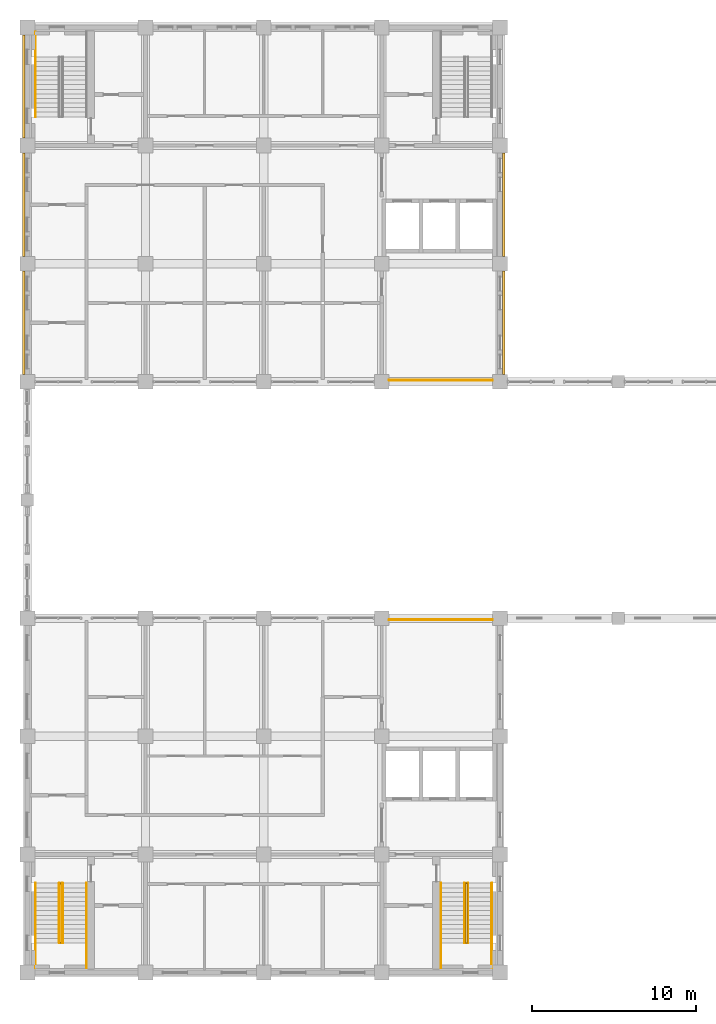
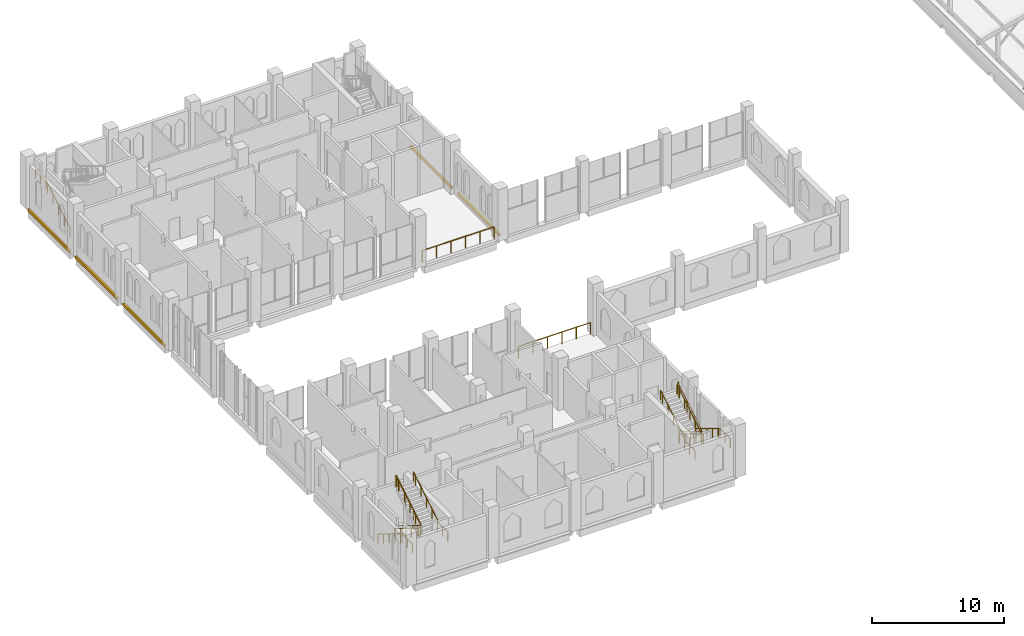
# One storey, part 29 of 30: 13 railings, 5 coverings.
"""IFC4 building model written with IfcOpenShell, lengths in metres."""

from ifc_helpers import new_model, si_unit, direction, frame, origin, origin_2d, place, context, subcontext, project, spatial, rectangle, circle, extrude, material, type_object, element, save


model = new_model("IFC4")

# Units and contexts
model_context = context("Model", 3, precision=1e-05, world=origin(), true_north=direction((0.0, 1.0)))
body_context = subcontext(model_context, "Body", "Model", "MODEL_VIEW")
ifc_project = project(units=[si_unit("LENGTHUNIT", "METRE"), si_unit("AREAUNIT", "SQUARE_METRE"), si_unit("VOLUMEUNIT", "CUBIC_METRE"), si_unit("PLANEANGLEUNIT", "RADIAN"), si_unit("MASSUNIT", "GRAM", prefix="KILO")], contexts=[model_context])

# Site, building, storey
site_placement = place(None, origin())
site = spatial("IfcSite", under=ifc_project, at=site_placement, CompositionType="ELEMENT")
building_placement = place(site_placement, origin())
building = spatial("IfcBuilding", under=site, at=building_placement, Name="Silangan Lancet Faculty of Sciences", CompositionType="ELEMENT")
storey_placement = place(building_placement, frame((0.0, 0.0, 31.199951171875)))
storey = spatial("IfcBuildingStorey", under=building, at=storey_placement, Name="L06", CompositionType="ELEMENT", Elevation=31.199951171875)

# Railings
ifc_material_1 = material(Name="Steel balustrade", Category="steel")
railing_type_1 = type_object("IfcRailingType", Name="ATRIUM GUARD 1100", PredefinedType="GUARDRAIL", material=ifc_material_1)
for number, where, name in (
    (1, (22.050048828125, 21.5, 0.0), "GUARD-ATR-L06-S11"),
    (2, (22.050048828125, 36.10009765625, 0.0), "GUARD-ATR-L06-N12"),
):
    element("IfcRailing", number, at=place(storey_placement, frame(where)), inside=storey, type_object=railing_type_1, Name=name, PredefinedType="GUARDRAIL", context=body_context, shape_type="SweptSolid", body=[
        extrude(circle(Radius=0.02392578125, at=origin_2d()), frame((0.0, 0.0, 1.076171875), z_axis=(1.0, 0.0, 0.0), x_axis=(0.0, 1.0, 0.0)), (0.0, 0.0, 1.0), 6.300048828125),
        extrude(circle(Radius=0.02099609375, at=origin_2d()), origin(), (0.0, 0.0, 1.0), 1.052001953125),
        extrude(circle(Radius=0.02099609375, at=origin_2d()), frame((1.260009765625, 0.0, 0.0)), (0.0, 0.0, 1.0), 1.052001953125),
        extrude(circle(Radius=0.02099609375, at=origin_2d()), frame((2.52001953125, 0.0, 0.0)), (0.0, 0.0, 1.0), 1.052001953125),
        extrude(circle(Radius=0.02099609375, at=origin_2d()), frame((3.780029296875, 0.0, 0.0)), (0.0, 0.0, 1.0), 1.052001953125),
        extrude(circle(Radius=0.02099609375, at=origin_2d()), frame((5.0400390625, 0.0, 0.0)), (0.0, 0.0, 1.0), 1.052001953125),
        extrude(circle(Radius=0.02099609375, at=origin_2d()), frame((6.300048828125, 0.0, 0.0)), (0.0, 0.0, 1.0), 1.052001953125),
    ])

# Coverings
ifc_material_2 = material(Name="Concrete C40/50 precast", Category="concrete")
covering_type = type_object("IfcCoveringType", Name="SC1 Precast string course 250 x 150", PredefinedType="CLADDING", material=ifc_material_2)
for number, where, z_axis, x_axis, name in (
    (3, (29.02490234375, 39.60009765625, -0.25), (0.0, 0.0, 1.0), (1.0, 0.0, 0.0), "SC-L06-E-NT-00"),
    (4, (29.02490234375, 46.800048828125, -0.25), (0.0, 0.0, 1.0), (1.0, 0.0, 0.0), "SC-L06-E-NT-01"),
    (5, (-0.22509765625, 39.60009765625, -0.25), (0.0, 0.0, 1.0), (1.0, 0.0, 0.0), "SC-L06-W-NT-00"),
    (6, (-0.22509765625, 46.800048828125, -0.25), (0.0, 0.0, 1.0), (1.0, 0.0, 0.0), "SC-L06-W-NT-01"),
    (7, (-0.22509765625, 54.0, -0.25), (0.0, 0.0, 1.0), (1.0, 0.0, 0.0), "SC-L06-W-NT-02"),
):
    element("IfcCovering", number, at=place(storey_placement, frame(where, z_axis=z_axis, x_axis=x_axis)), inside=storey, type_object=covering_type, Name=name, PredefinedType="CLADDING", context=body_context, shape_type="SweptSolid", body=[
        extrude(rectangle(XDim=0.14990234375, YDim=6.300048828125, at=origin_2d()), origin(), (0.0, 0.0, 1.0), 0.25),
    ])

# Railings
ifc_material_3 = material(Name="Steel balustrade", Category="steel")
railing_type_2 = type_object("IfcRailingType", Name="STAIR GUARD 1100", PredefinedType="GUARDRAIL", material=ifc_material_3)
railing_1_placement = place(storey_placement, frame((2.0, 5.449951171875, 0.17138671875)))
element("IfcRailing", 8, at=railing_1_placement, inside=storey, type_object=railing_type_2, Name="GUARD-ST-A-L06", PredefinedType="GUARDRAIL", context=body_context, shape_type="SweptSolid", body=[
    extrude(circle(Radius=0.02392578125, at=origin_2d()), frame((0.0, 0.0, 1.076171875), z_axis=(0.0, -0.852798921012, 0.522239409008), x_axis=(1.0, 0.0, 0.0)), (0.0, 0.0, 1.0), 1.313232421875),
    extrude(circle(Radius=0.02392578125, at=origin_2d()), frame((0.0, -1.119873046875, 1.76171875), z_axis=(0.0, -0.852849614702, 0.52215661894), x_axis=(1.0, 0.0, 0.0)), (0.0, 0.0, 1.0), 1.3134765625),
    extrude(circle(Radius=0.02392578125, at=origin_2d()), frame((0.0, -2.239990234375, 2.44775390625), z_axis=(0.0, -0.852798921012, 0.522239409008), x_axis=(1.0, 0.0, 0.0)), (0.0, 0.0, 1.0), 1.313232421875),
    extrude(circle(Radius=0.02392578125, at=origin_2d()), frame((0.0, -3.35986328125, 3.13330078125), z_axis=(0.0, -0.852932391421, 0.522021393877), x_axis=(1.0, 0.0, 0.0)), (0.0, 0.0, 1.0), 0.328369140625),
    extrude(circle(Radius=0.02392578125, at=origin_2d()), frame((0.0, -3.639892578125, 3.3046875), z_axis=(1.0, 0.0, 0.0), x_axis=(0.0, 1.0, 0.0)), (0.0, 0.0, 1.0), 0.10009765625),
    extrude(circle(Radius=0.02392578125, at=origin_2d()), frame((0.10009765625, -3.639892578125, 3.3046875), z_axis=(0.0, 0.0, 1.0), x_axis=(1.0, 0.0, 0.0)), (0.0, 0.0, 1.0), 0.17138671875),
    extrude(circle(Radius=0.02392578125, at=origin_2d()), frame((0.10009765625, -3.639892578125, 3.47607421875), z_axis=(0.0, 0.852881719064, 0.522104178577), x_axis=(-1.0, 0.0, 0.0)), (0.0, 0.0, 1.0), 1.31298828125),
    extrude(circle(Radius=0.02392578125, at=origin_2d()), frame((0.10009765625, -2.52001953125, 4.16162109375), z_axis=(0.0, 0.852849614702, 0.52215661894), x_axis=(-1.0, 0.0, 0.0)), (0.0, 0.0, 1.0), 1.3134765625),
    extrude(circle(Radius=0.02392578125, at=origin_2d()), frame((0.10009765625, -1.39990234375, 4.84765625), z_axis=(0.0, 0.852798921012, 0.522239409008), x_axis=(-1.0, 0.0, 0.0)), (0.0, 0.0, 1.0), 1.313232421875),
    extrude(circle(Radius=0.02392578125, at=origin_2d()), frame((0.10009765625, -0.280029296875, 5.533203125), z_axis=(0.0, 0.852932391421, 0.522021393877), x_axis=(-1.0, 0.0, 0.0)), (0.0, 0.0, 1.0), 0.328369140625),
    extrude(circle(Radius=0.02392578125, at=origin_2d()), frame((0.10009765625, 0.0, 5.70458984375), z_axis=(-1.0, 0.0, 0.0), x_axis=(0.0, -1.0, 0.0)), (0.0, 0.0, 1.0), 0.10009765625),
    extrude(circle(Radius=0.02099609375, at=origin_2d()), origin(), (0.0, 0.0, 1.0), 1.052001953125),
    extrude(circle(Radius=0.02099609375, at=origin_2d()), frame((0.0, -1.119873046875, 0.685791015625)), (0.0, 0.0, 1.0), 1.052001953125),
    extrude(circle(Radius=0.02099609375, at=origin_2d()), frame((0.0, -2.239990234375, 1.37158203125)), (0.0, 0.0, 1.0), 1.052001953125),
    extrude(circle(Radius=0.02099609375, at=origin_2d()), frame((0.0, -3.35986328125, 2.057373046875)), (0.0, 0.0, 1.0), 1.052001953125),
    extrude(circle(Radius=0.02099609375, at=origin_2d()), frame((0.0, -3.639892578125, 2.228759765625)), (0.0, 0.0, 1.0), 1.052001953125),
    extrude(circle(Radius=0.02099609375, at=origin_2d()), frame((0.10009765625, -3.639892578125, 2.228759765625)), (0.0, 0.0, 1.0), 1.052001953125),
    extrude(circle(Radius=0.02099609375, at=origin_2d()), frame((0.10009765625, -3.639892578125, 2.400146484375)), (0.0, 0.0, 1.0), 1.052001953125),
    extrude(circle(Radius=0.02099609375, at=origin_2d()), frame((0.10009765625, -2.52001953125, 3.085693359375)), (0.0, 0.0, 1.0), 1.052001953125),
    extrude(circle(Radius=0.02099609375, at=origin_2d()), frame((0.10009765625, -1.39990234375, 3.771484375)), (0.0, 0.0, 1.0), 1.052001953125),
    extrude(circle(Radius=0.02099609375, at=origin_2d()), frame((0.10009765625, -0.280029296875, 4.457275390625)), (0.0, 0.0, 1.0), 1.052001953125),
    extrude(circle(Radius=0.02099609375, at=origin_2d()), frame((0.10009765625, 0.0, 4.628662109375)), (0.0, 0.0, 1.0), 1.052001953125),
    extrude(circle(Radius=0.02099609375, at=origin_2d()), frame((0.0, 0.0, 4.628662109375)), (0.0, 0.0, 1.0), 1.052001953125),
])
railing_2_placement = place(storey_placement, frame((26.800048828125, 5.449951171875, 0.17138671875)))
element("IfcRailing", 9, at=railing_2_placement, inside=storey, type_object=railing_type_2, Name="GUARD-ST-B-L06", PredefinedType="GUARDRAIL", context=body_context, shape_type="SweptSolid", body=[
    extrude(circle(Radius=0.02392578125, at=origin_2d()), frame((0.0, 0.0, 1.076171875), z_axis=(0.0, -0.852798921012, 0.522239409008), x_axis=(1.0, 0.0, 0.0)), (0.0, 0.0, 1.0), 1.313232421875),
    extrude(circle(Radius=0.02392578125, at=origin_2d()), frame((0.0, -1.119873046875, 1.76171875), z_axis=(0.0, -0.852849614702, 0.52215661894), x_axis=(1.0, 0.0, 0.0)), (0.0, 0.0, 1.0), 1.3134765625),
    extrude(circle(Radius=0.02392578125, at=origin_2d()), frame((0.0, -2.239990234375, 2.44775390625), z_axis=(0.0, -0.852798921012, 0.522239409008), x_axis=(1.0, 0.0, 0.0)), (0.0, 0.0, 1.0), 1.313232421875),
    extrude(circle(Radius=0.02392578125, at=origin_2d()), frame((0.0, -3.35986328125, 3.13330078125), z_axis=(0.0, -0.852932391421, 0.522021393877), x_axis=(1.0, 0.0, 0.0)), (0.0, 0.0, 1.0), 0.328369140625),
    extrude(circle(Radius=0.02392578125, at=origin_2d()), frame((0.0, -3.639892578125, 3.3046875), z_axis=(-1.0, 0.0, 0.0), x_axis=(0.0, -1.0, 0.0)), (0.0, 0.0, 1.0), 0.10009765625),
    extrude(circle(Radius=0.02392578125, at=origin_2d()), frame((-0.10009765625, -3.639892578125, 3.3046875), z_axis=(0.0, 0.0, 1.0), x_axis=(1.0, 0.0, 0.0)), (0.0, 0.0, 1.0), 0.17138671875),
    extrude(circle(Radius=0.02392578125, at=origin_2d()), frame((-0.10009765625, -3.639892578125, 3.47607421875), z_axis=(0.0, 0.852881719064, 0.522104178577), x_axis=(-1.0, 0.0, 0.0)), (0.0, 0.0, 1.0), 1.31298828125),
    extrude(circle(Radius=0.02392578125, at=origin_2d()), frame((-0.10009765625, -2.52001953125, 4.16162109375), z_axis=(0.0, 0.852849614702, 0.52215661894), x_axis=(-1.0, 0.0, 0.0)), (0.0, 0.0, 1.0), 1.3134765625),
    extrude(circle(Radius=0.02392578125, at=origin_2d()), frame((-0.10009765625, -1.39990234375, 4.84765625), z_axis=(0.0, 0.852798921012, 0.522239409008), x_axis=(-1.0, 0.0, 0.0)), (0.0, 0.0, 1.0), 1.313232421875),
    extrude(circle(Radius=0.02392578125, at=origin_2d()), frame((-0.10009765625, -0.280029296875, 5.533203125), z_axis=(0.0, 0.852932391421, 0.522021393877), x_axis=(-1.0, 0.0, 0.0)), (0.0, 0.0, 1.0), 0.328369140625),
    extrude(circle(Radius=0.02392578125, at=origin_2d()), frame((-0.10009765625, 0.0, 5.70458984375), z_axis=(1.0, 0.0, 0.0), x_axis=(0.0, 1.0, 0.0)), (0.0, 0.0, 1.0), 0.10009765625),
    extrude(circle(Radius=0.02099609375, at=origin_2d()), origin(), (0.0, 0.0, 1.0), 1.052001953125),
    extrude(circle(Radius=0.02099609375, at=origin_2d()), frame((0.0, -1.119873046875, 0.685791015625)), (0.0, 0.0, 1.0), 1.052001953125),
    extrude(circle(Radius=0.02099609375, at=origin_2d()), frame((0.0, -2.239990234375, 1.37158203125)), (0.0, 0.0, 1.0), 1.052001953125),
    extrude(circle(Radius=0.02099609375, at=origin_2d()), frame((0.0, -3.35986328125, 2.057373046875)), (0.0, 0.0, 1.0), 1.052001953125),
    extrude(circle(Radius=0.02099609375, at=origin_2d()), frame((0.0, -3.639892578125, 2.228759765625)), (0.0, 0.0, 1.0), 1.052001953125),
    extrude(circle(Radius=0.02099609375, at=origin_2d()), frame((-0.10009765625, -3.639892578125, 2.228759765625)), (0.0, 0.0, 1.0), 1.052001953125),
    extrude(circle(Radius=0.02099609375, at=origin_2d()), frame((-0.10009765625, -3.639892578125, 2.400146484375)), (0.0, 0.0, 1.0), 1.052001953125),
    extrude(circle(Radius=0.02099609375, at=origin_2d()), frame((-0.10009765625, -2.52001953125, 3.085693359375)), (0.0, 0.0, 1.0), 1.052001953125),
    extrude(circle(Radius=0.02099609375, at=origin_2d()), frame((-0.10009765625, -1.39990234375, 3.771484375)), (0.0, 0.0, 1.0), 1.052001953125),
    extrude(circle(Radius=0.02099609375, at=origin_2d()), frame((-0.10009765625, -0.280029296875, 4.457275390625)), (0.0, 0.0, 1.0), 1.052001953125),
    extrude(circle(Radius=0.02099609375, at=origin_2d()), frame((-0.10009765625, 0.0, 4.628662109375)), (0.0, 0.0, 1.0), 1.052001953125),
    extrude(circle(Radius=0.02099609375, at=origin_2d()), frame((0.0, 0.0, 4.628662109375)), (0.0, 0.0, 1.0), 1.052001953125),
])
ifc_material_4 = material(Name="Stainless steel", Category="steel")
railing_type_3 = type_object("IfcRailingType", Name="STAIR HANDRAIL 865", PredefinedType="HANDRAIL", material=ifc_material_4)
railing_3_placement = place(storey_placement, frame((0.5, 52.14990234375, 0.17138671875)))
element("IfcRailing", 10, at=railing_3_placement, inside=storey, type_object=railing_type_3, Name="HANDRAIL-NT-A-L06-O1", PredefinedType="HANDRAIL", context=body_context, shape_type="SweptSolid", body=[
    extrude(circle(Radius=0.02392578125, at=origin_2d()), frame((0.0, 0.0, 0.8408203125), z_axis=(0.0, 0.852822021269, 0.522201685212), x_axis=(-1.0, 0.0, 0.0)), (0.0, 0.0, 1.0), 0.985107421875),
    extrude(circle(Radius=0.02392578125, at=origin_2d()), frame((0.0, 0.840087890625, 1.35546875), z_axis=(0.0, 0.852932391421, 0.522021393877), x_axis=(-1.0, 0.0, 0.0)), (0.0, 0.0, 1.0), 0.98486328125),
    extrude(circle(Radius=0.02392578125, at=origin_2d()), frame((0.0, 1.68017578125, 1.86962890625), z_axis=(0.0, 0.852754414843, 0.522312079092), x_axis=(-1.0, 0.0, 0.0)), (0.0, 0.0, 1.0), 0.98486328125),
    extrude(circle(Radius=0.02392578125, at=origin_2d()), frame((0.0, 2.52001953125, 2.3837890625), z_axis=(0.0, 0.852822021269, 0.522201685212), x_axis=(-1.0, 0.0, 0.0)), (0.0, 0.0, 1.0), 0.985107421875),
    extrude(circle(Radius=0.02392578125, at=origin_2d()), frame((0.0, 3.360107421875, 2.8984375), z_axis=(0.0, 0.852932391421, 0.522021393877), x_axis=(-1.0, 0.0, 0.0)), (0.0, 0.0, 1.0), 0.328369140625),
    extrude(circle(Radius=0.02392578125, at=origin_2d()), frame((0.0, 3.64013671875, 3.06982421875), z_axis=(0.0, 1.0, 0.0), x_axis=(-1.0, 0.0, 0.0)), (0.0, 0.0, 1.0), 1.534912109375),
    extrude(circle(Radius=0.02099609375, at=origin_2d()), origin(), (0.0, 0.0, 1.0), 0.81689453125),
    extrude(circle(Radius=0.02099609375, at=origin_2d()), frame((0.0, 0.840087890625, 0.514404296875)), (0.0, 0.0, 1.0), 0.81689453125),
    extrude(circle(Radius=0.02099609375, at=origin_2d()), frame((0.0, 1.68017578125, 1.028564453125)), (0.0, 0.0, 1.0), 0.81689453125),
    extrude(circle(Radius=0.02099609375, at=origin_2d()), frame((0.0, 2.52001953125, 1.54296875)), (0.0, 0.0, 1.0), 0.81689453125),
    extrude(circle(Radius=0.02099609375, at=origin_2d()), frame((0.0, 3.360107421875, 2.057373046875)), (0.0, 0.0, 1.0), 0.81689453125),
    extrude(circle(Radius=0.02099609375, at=origin_2d()), frame((0.0, 3.64013671875, 2.228759765625)), (0.0, 0.0, 1.0), 0.81689453125),
    extrude(circle(Radius=0.02099609375, at=origin_2d()), frame((0.0, 4.40771484375, 2.228759765625)), (0.0, 0.0, 1.0), 0.81689453125),
    extrude(circle(Radius=0.02099609375, at=origin_2d()), frame((0.0, 5.175048828125, 2.228759765625)), (0.0, 0.0, 1.0), 0.81689453125),
])
railing_4_placement = place(storey_placement, frame((0.5, 5.449951171875, 0.17138671875)))
element("IfcRailing", 11, at=railing_4_placement, inside=storey, type_object=railing_type_3, Name="HANDRAIL-ST-A-L06-O1", PredefinedType="HANDRAIL", context=body_context, shape_type="SweptSolid", body=[
    extrude(circle(Radius=0.02392578125, at=origin_2d()), frame((0.0, 0.0, 0.8408203125), z_axis=(0.0, -0.852754414843, 0.522312079092), x_axis=(1.0, 0.0, 0.0)), (0.0, 0.0, 1.0), 0.98486328125),
    extrude(circle(Radius=0.02392578125, at=origin_2d()), frame((0.0, -0.83984375, 1.35546875), z_axis=(0.0, -0.852932391421, 0.522021393877), x_axis=(1.0, 0.0, 0.0)), (0.0, 0.0, 1.0), 0.98486328125),
    extrude(circle(Radius=0.02392578125, at=origin_2d()), frame((0.0, -1.679931640625, 1.86962890625), z_axis=(0.0, -0.852822021269, 0.522201685212), x_axis=(1.0, 0.0, 0.0)), (0.0, 0.0, 1.0), 0.985107421875),
    extrude(circle(Radius=0.02392578125, at=origin_2d()), frame((0.0, -2.52001953125, 2.3837890625), z_axis=(0.0, -0.852754414843, 0.522312079092), x_axis=(1.0, 0.0, 0.0)), (0.0, 0.0, 1.0), 0.98486328125),
    extrude(circle(Radius=0.02392578125, at=origin_2d()), frame((0.0, -3.35986328125, 2.8984375), z_axis=(0.0, -0.852932391421, 0.522021393877), x_axis=(1.0, 0.0, 0.0)), (0.0, 0.0, 1.0), 0.328369140625),
    extrude(circle(Radius=0.02392578125, at=origin_2d()), frame((0.0, -3.639892578125, 3.06982421875), z_axis=(0.0, -1.0, 0.0), x_axis=(1.0, 0.0, 0.0)), (0.0, 0.0, 1.0), 1.53515625),
    extrude(circle(Radius=0.02099609375, at=origin_2d()), origin(), (0.0, 0.0, 1.0), 0.81689453125),
    extrude(circle(Radius=0.02099609375, at=origin_2d()), frame((0.0, -0.83984375, 0.514404296875)), (0.0, 0.0, 1.0), 0.81689453125),
    extrude(circle(Radius=0.02099609375, at=origin_2d()), frame((0.0, -1.679931640625, 1.028564453125)), (0.0, 0.0, 1.0), 0.81689453125),
    extrude(circle(Radius=0.02099609375, at=origin_2d()), frame((0.0, -2.52001953125, 1.54296875)), (0.0, 0.0, 1.0), 0.81689453125),
    extrude(circle(Radius=0.02099609375, at=origin_2d()), frame((0.0, -3.35986328125, 2.057373046875)), (0.0, 0.0, 1.0), 0.81689453125),
    extrude(circle(Radius=0.02099609375, at=origin_2d()), frame((0.0, -3.639892578125, 2.228759765625)), (0.0, 0.0, 1.0), 0.81689453125),
    extrude(circle(Radius=0.02099609375, at=origin_2d()), frame((0.0, -4.407470703125, 2.228759765625)), (0.0, 0.0, 1.0), 0.81689453125),
    extrude(circle(Radius=0.02099609375, at=origin_2d()), frame((0.0, -5.175048828125, 2.228759765625)), (0.0, 0.0, 1.0), 0.81689453125),
])
railing_5_placement = place(storey_placement, frame((1.949951171875, 5.449951171875, 0.17138671875)))
element("IfcRailing", 12, at=railing_5_placement, inside=storey, type_object=railing_type_3, Name="HANDRAIL-ST-A-L06-I1", PredefinedType="HANDRAIL", context=body_context, shape_type="SweptSolid", body=[
    extrude(circle(Radius=0.02392578125, at=origin_2d()), frame((0.0, 0.0, 0.8408203125), z_axis=(0.0, -0.852754414843, 0.522312079092), x_axis=(1.0, 0.0, 0.0)), (0.0, 0.0, 1.0), 0.98486328125),
    extrude(circle(Radius=0.02392578125, at=origin_2d()), frame((0.0, -0.83984375, 1.35546875), z_axis=(0.0, -0.852932391421, 0.522021393877), x_axis=(1.0, 0.0, 0.0)), (0.0, 0.0, 1.0), 0.98486328125),
    extrude(circle(Radius=0.02392578125, at=origin_2d()), frame((0.0, -1.679931640625, 1.86962890625), z_axis=(0.0, -0.852822021269, 0.522201685212), x_axis=(1.0, 0.0, 0.0)), (0.0, 0.0, 1.0), 0.985107421875),
    extrude(circle(Radius=0.02392578125, at=origin_2d()), frame((0.0, -2.52001953125, 2.3837890625), z_axis=(0.0, -0.852754414843, 0.522312079092), x_axis=(1.0, 0.0, 0.0)), (0.0, 0.0, 1.0), 0.98486328125),
    extrude(circle(Radius=0.02392578125, at=origin_2d()), frame((0.0, -3.35986328125, 2.8984375), z_axis=(0.0, -0.852932391421, 0.522021393877), x_axis=(1.0, 0.0, 0.0)), (0.0, 0.0, 1.0), 0.328369140625),
    extrude(circle(Radius=0.02099609375, at=origin_2d()), origin(), (0.0, 0.0, 1.0), 0.81689453125),
    extrude(circle(Radius=0.02099609375, at=origin_2d()), frame((0.0, -0.83984375, 0.514404296875)), (0.0, 0.0, 1.0), 0.81689453125),
    extrude(circle(Radius=0.02099609375, at=origin_2d()), frame((0.0, -1.679931640625, 1.028564453125)), (0.0, 0.0, 1.0), 0.81689453125),
    extrude(circle(Radius=0.02099609375, at=origin_2d()), frame((0.0, -2.52001953125, 1.54296875)), (0.0, 0.0, 1.0), 0.81689453125),
    extrude(circle(Radius=0.02099609375, at=origin_2d()), frame((0.0, -3.35986328125, 2.057373046875)), (0.0, 0.0, 1.0), 0.81689453125),
    extrude(circle(Radius=0.02099609375, at=origin_2d()), frame((0.0, -3.639892578125, 2.228759765625)), (0.0, 0.0, 1.0), 0.81689453125),
])
railing_6_placement = place(storey_placement, frame((3.60009765625, 0.27490234375, 2.400146484375)))
element("IfcRailing", 13, at=railing_6_placement, inside=storey, type_object=railing_type_3, Name="HANDRAIL-ST-A-L06-O2", PredefinedType="HANDRAIL", context=body_context, shape_type="SweptSolid", body=[
    extrude(circle(Radius=0.02392578125, at=origin_2d()), frame((0.0, 0.0, 0.8408203125), z_axis=(0.0, 1.0, 0.0), x_axis=(-1.0, 0.0, 0.0)), (0.0, 0.0, 1.0), 1.53515625),
    extrude(circle(Radius=0.02392578125, at=origin_2d()), frame((0.0, 1.53515625, 0.8408203125), z_axis=(0.0, 0.0, 1.0), x_axis=(1.0, 0.0, 0.0)), (0.0, 0.0, 1.0), 0.17138671875),
    extrude(circle(Radius=0.02392578125, at=origin_2d()), frame((0.0, 1.53515625, 1.01220703125), z_axis=(0.0, 0.85286482292, 0.522131778218), x_axis=(-1.0, 0.0, 0.0)), (0.0, 0.0, 1.0), 0.984619140625),
    extrude(circle(Radius=0.02392578125, at=origin_2d()), frame((0.0, 2.375, 1.5263671875), z_axis=(0.0, 0.852822021269, 0.522201685212), x_axis=(-1.0, 0.0, 0.0)), (0.0, 0.0, 1.0), 0.985107421875),
    extrude(circle(Radius=0.02392578125, at=origin_2d()), frame((0.0, 3.215087890625, 2.041015625), z_axis=(0.0, 0.852932391421, 0.522021393877), x_axis=(-1.0, 0.0, 0.0)), (0.0, 0.0, 1.0), 0.98486328125),
    extrude(circle(Radius=0.02392578125, at=origin_2d()), frame((0.0, 4.05517578125, 2.55517578125), z_axis=(0.0, 0.852754414843, 0.522312079092), x_axis=(-1.0, 0.0, 0.0)), (0.0, 0.0, 1.0), 0.98486328125),
    extrude(circle(Radius=0.02392578125, at=origin_2d()), frame((0.0, 4.89501953125, 3.0693359375), z_axis=(0.0, 0.852932391421, 0.522021393877), x_axis=(-1.0, 0.0, 0.0)), (0.0, 0.0, 1.0), 0.328369140625),
    extrude(circle(Radius=0.02099609375, at=origin_2d()), origin(), (0.0, 0.0, 1.0), 0.81689453125),
    extrude(circle(Radius=0.02099609375, at=origin_2d()), frame((0.0, 0.767578125, 0.0)), (0.0, 0.0, 1.0), 0.81689453125),
    extrude(circle(Radius=0.02099609375, at=origin_2d()), frame((0.0, 1.53515625, 0.0)), (0.0, 0.0, 1.0), 0.81689453125),
    extrude(circle(Radius=0.02099609375, at=origin_2d()), frame((0.0, 1.53515625, 0.17138671875)), (0.0, 0.0, 1.0), 0.81689453125),
    extrude(circle(Radius=0.02099609375, at=origin_2d()), frame((0.0, 2.375, 0.685546875)), (0.0, 0.0, 1.0), 0.81689453125),
    extrude(circle(Radius=0.02099609375, at=origin_2d()), frame((0.0, 3.215087890625, 1.199951171875)), (0.0, 0.0, 1.0), 0.81689453125),
    extrude(circle(Radius=0.02099609375, at=origin_2d()), frame((0.0, 4.05517578125, 1.714111328125)), (0.0, 0.0, 1.0), 0.81689453125),
    extrude(circle(Radius=0.02099609375, at=origin_2d()), frame((0.0, 4.89501953125, 2.228515625)), (0.0, 0.0, 1.0), 0.81689453125),
    extrude(circle(Radius=0.02099609375, at=origin_2d()), frame((0.0, 5.175048828125, 2.39990234375)), (0.0, 0.0, 1.0), 0.81689453125),
])
railing_7_placement = place(storey_placement, frame((2.14990234375, 1.81005859375, 2.571533203125)))
element("IfcRailing", 14, at=railing_7_placement, inside=storey, type_object=railing_type_3, Name="HANDRAIL-ST-A-L06-I2", PredefinedType="HANDRAIL", context=body_context, shape_type="SweptSolid", body=[
    extrude(circle(Radius=0.02392578125, at=origin_2d()), frame((0.0, 0.0, 0.8408203125), z_axis=(0.0, 0.85286482292, 0.522131778218), x_axis=(-1.0, 0.0, 0.0)), (0.0, 0.0, 1.0), 0.984619140625),
    extrude(circle(Radius=0.02392578125, at=origin_2d()), frame((0.0, 0.83984375, 1.35498046875), z_axis=(0.0, 0.852822021269, 0.522201685212), x_axis=(-1.0, 0.0, 0.0)), (0.0, 0.0, 1.0), 0.985107421875),
    extrude(circle(Radius=0.02392578125, at=origin_2d()), frame((0.0, 1.679931640625, 1.86962890625), z_axis=(0.0, 0.852932391421, 0.522021393877), x_axis=(-1.0, 0.0, 0.0)), (0.0, 0.0, 1.0), 0.98486328125),
    extrude(circle(Radius=0.02392578125, at=origin_2d()), frame((0.0, 2.52001953125, 2.3837890625), z_axis=(0.0, 0.852754414843, 0.522312079092), x_axis=(-1.0, 0.0, 0.0)), (0.0, 0.0, 1.0), 0.98486328125),
    extrude(circle(Radius=0.02392578125, at=origin_2d()), frame((0.0, 3.35986328125, 2.89794921875), z_axis=(0.0, 0.852932391421, 0.522021393877), x_axis=(-1.0, 0.0, 0.0)), (0.0, 0.0, 1.0), 0.328369140625),
    extrude(circle(Radius=0.02099609375, at=origin_2d()), origin(), (0.0, 0.0, 1.0), 0.81689453125),
    extrude(circle(Radius=0.02099609375, at=origin_2d()), frame((0.0, 0.83984375, 0.51416015625)), (0.0, 0.0, 1.0), 0.81689453125),
    extrude(circle(Radius=0.02099609375, at=origin_2d()), frame((0.0, 1.679931640625, 1.028564453125)), (0.0, 0.0, 1.0), 0.81689453125),
    extrude(circle(Radius=0.02099609375, at=origin_2d()), frame((0.0, 2.52001953125, 1.542724609375)), (0.0, 0.0, 1.0), 0.81689453125),
    extrude(circle(Radius=0.02099609375, at=origin_2d()), frame((0.0, 3.35986328125, 2.05712890625)), (0.0, 0.0, 1.0), 0.81689453125),
    extrude(circle(Radius=0.02099609375, at=origin_2d()), frame((0.0, 3.639892578125, 2.228515625)), (0.0, 0.0, 1.0), 0.81689453125),
])
railing_8_placement = place(storey_placement, frame((28.300048828125, 5.449951171875, 0.17138671875)))
element("IfcRailing", 15, at=railing_8_placement, inside=storey, type_object=railing_type_3, Name="HANDRAIL-ST-B-L06-O1", PredefinedType="HANDRAIL", context=body_context, shape_type="SweptSolid", body=[
    extrude(circle(Radius=0.02392578125, at=origin_2d()), frame((0.0, 0.0, 0.8408203125), z_axis=(0.0, -0.852754414843, 0.522312079092), x_axis=(1.0, 0.0, 0.0)), (0.0, 0.0, 1.0), 0.98486328125),
    extrude(circle(Radius=0.02392578125, at=origin_2d()), frame((0.0, -0.83984375, 1.35546875), z_axis=(0.0, -0.852932391421, 0.522021393877), x_axis=(1.0, 0.0, 0.0)), (0.0, 0.0, 1.0), 0.98486328125),
    extrude(circle(Radius=0.02392578125, at=origin_2d()), frame((0.0, -1.679931640625, 1.86962890625), z_axis=(0.0, -0.852822021269, 0.522201685212), x_axis=(1.0, 0.0, 0.0)), (0.0, 0.0, 1.0), 0.985107421875),
    extrude(circle(Radius=0.02392578125, at=origin_2d()), frame((0.0, -2.52001953125, 2.3837890625), z_axis=(0.0, -0.852754414843, 0.522312079092), x_axis=(1.0, 0.0, 0.0)), (0.0, 0.0, 1.0), 0.98486328125),
    extrude(circle(Radius=0.02392578125, at=origin_2d()), frame((0.0, -3.35986328125, 2.8984375), z_axis=(0.0, -0.852932391421, 0.522021393877), x_axis=(1.0, 0.0, 0.0)), (0.0, 0.0, 1.0), 0.328369140625),
    extrude(circle(Radius=0.02392578125, at=origin_2d()), frame((0.0, -3.639892578125, 3.06982421875), z_axis=(0.0, -1.0, 0.0), x_axis=(1.0, 0.0, 0.0)), (0.0, 0.0, 1.0), 1.53515625),
    extrude(circle(Radius=0.02099609375, at=origin_2d()), origin(), (0.0, 0.0, 1.0), 0.81689453125),
    extrude(circle(Radius=0.02099609375, at=origin_2d()), frame((0.0, -0.83984375, 0.514404296875)), (0.0, 0.0, 1.0), 0.81689453125),
    extrude(circle(Radius=0.02099609375, at=origin_2d()), frame((0.0, -1.679931640625, 1.028564453125)), (0.0, 0.0, 1.0), 0.81689453125),
    extrude(circle(Radius=0.02099609375, at=origin_2d()), frame((0.0, -2.52001953125, 1.54296875)), (0.0, 0.0, 1.0), 0.81689453125),
    extrude(circle(Radius=0.02099609375, at=origin_2d()), frame((0.0, -3.35986328125, 2.057373046875)), (0.0, 0.0, 1.0), 0.81689453125),
    extrude(circle(Radius=0.02099609375, at=origin_2d()), frame((0.0, -3.639892578125, 2.228759765625)), (0.0, 0.0, 1.0), 0.81689453125),
    extrude(circle(Radius=0.02099609375, at=origin_2d()), frame((0.0, -4.407470703125, 2.228759765625)), (0.0, 0.0, 1.0), 0.81689453125),
    extrude(circle(Radius=0.02099609375, at=origin_2d()), frame((0.0, -5.175048828125, 2.228759765625)), (0.0, 0.0, 1.0), 0.81689453125),
])
railing_9_placement = place(storey_placement, frame((26.85009765625, 5.449951171875, 0.17138671875)))
element("IfcRailing", 16, at=railing_9_placement, inside=storey, type_object=railing_type_3, Name="HANDRAIL-ST-B-L06-I1", PredefinedType="HANDRAIL", context=body_context, shape_type="SweptSolid", body=[
    extrude(circle(Radius=0.02392578125, at=origin_2d()), frame((0.0, 0.0, 0.8408203125), z_axis=(0.0, -0.852754414843, 0.522312079092), x_axis=(1.0, 0.0, 0.0)), (0.0, 0.0, 1.0), 0.98486328125),
    extrude(circle(Radius=0.02392578125, at=origin_2d()), frame((0.0, -0.83984375, 1.35546875), z_axis=(0.0, -0.852932391421, 0.522021393877), x_axis=(1.0, 0.0, 0.0)), (0.0, 0.0, 1.0), 0.98486328125),
    extrude(circle(Radius=0.02392578125, at=origin_2d()), frame((0.0, -1.679931640625, 1.86962890625), z_axis=(0.0, -0.852822021269, 0.522201685212), x_axis=(1.0, 0.0, 0.0)), (0.0, 0.0, 1.0), 0.985107421875),
    extrude(circle(Radius=0.02392578125, at=origin_2d()), frame((0.0, -2.52001953125, 2.3837890625), z_axis=(0.0, -0.852754414843, 0.522312079092), x_axis=(1.0, 0.0, 0.0)), (0.0, 0.0, 1.0), 0.98486328125),
    extrude(circle(Radius=0.02392578125, at=origin_2d()), frame((0.0, -3.35986328125, 2.8984375), z_axis=(0.0, -0.852932391421, 0.522021393877), x_axis=(1.0, 0.0, 0.0)), (0.0, 0.0, 1.0), 0.328369140625),
    extrude(circle(Radius=0.02099609375, at=origin_2d()), origin(), (0.0, 0.0, 1.0), 0.81689453125),
    extrude(circle(Radius=0.02099609375, at=origin_2d()), frame((0.0, -0.83984375, 0.514404296875)), (0.0, 0.0, 1.0), 0.81689453125),
    extrude(circle(Radius=0.02099609375, at=origin_2d()), frame((0.0, -1.679931640625, 1.028564453125)), (0.0, 0.0, 1.0), 0.81689453125),
    extrude(circle(Radius=0.02099609375, at=origin_2d()), frame((0.0, -2.52001953125, 1.54296875)), (0.0, 0.0, 1.0), 0.81689453125),
    extrude(circle(Radius=0.02099609375, at=origin_2d()), frame((0.0, -3.35986328125, 2.057373046875)), (0.0, 0.0, 1.0), 0.81689453125),
    extrude(circle(Radius=0.02099609375, at=origin_2d()), frame((0.0, -3.639892578125, 2.228759765625)), (0.0, 0.0, 1.0), 0.81689453125),
])
railing_10_placement = place(storey_placement, frame((25.199951171875, 0.27490234375, 2.400146484375)))
element("IfcRailing", 17, at=railing_10_placement, inside=storey, type_object=railing_type_3, Name="HANDRAIL-ST-B-L06-O2", PredefinedType="HANDRAIL", context=body_context, shape_type="SweptSolid", body=[
    extrude(circle(Radius=0.02392578125, at=origin_2d()), frame((0.0, 0.0, 0.8408203125), z_axis=(0.0, 1.0, 0.0), x_axis=(-1.0, 0.0, 0.0)), (0.0, 0.0, 1.0), 1.53515625),
    extrude(circle(Radius=0.02392578125, at=origin_2d()), frame((0.0, 1.53515625, 0.8408203125), z_axis=(0.0, 0.0, 1.0), x_axis=(1.0, 0.0, 0.0)), (0.0, 0.0, 1.0), 0.17138671875),
    extrude(circle(Radius=0.02392578125, at=origin_2d()), frame((0.0, 1.53515625, 1.01220703125), z_axis=(0.0, 0.85286482292, 0.522131778218), x_axis=(-1.0, 0.0, 0.0)), (0.0, 0.0, 1.0), 0.984619140625),
    extrude(circle(Radius=0.02392578125, at=origin_2d()), frame((0.0, 2.375, 1.5263671875), z_axis=(0.0, 0.852822021269, 0.522201685212), x_axis=(-1.0, 0.0, 0.0)), (0.0, 0.0, 1.0), 0.985107421875),
    extrude(circle(Radius=0.02392578125, at=origin_2d()), frame((0.0, 3.215087890625, 2.041015625), z_axis=(0.0, 0.852932391421, 0.522021393877), x_axis=(-1.0, 0.0, 0.0)), (0.0, 0.0, 1.0), 0.98486328125),
    extrude(circle(Radius=0.02392578125, at=origin_2d()), frame((0.0, 4.05517578125, 2.55517578125), z_axis=(0.0, 0.852754414843, 0.522312079092), x_axis=(-1.0, 0.0, 0.0)), (0.0, 0.0, 1.0), 0.98486328125),
    extrude(circle(Radius=0.02392578125, at=origin_2d()), frame((0.0, 4.89501953125, 3.0693359375), z_axis=(0.0, 0.852932391421, 0.522021393877), x_axis=(-1.0, 0.0, 0.0)), (0.0, 0.0, 1.0), 0.328369140625),
    extrude(circle(Radius=0.02099609375, at=origin_2d()), origin(), (0.0, 0.0, 1.0), 0.81689453125),
    extrude(circle(Radius=0.02099609375, at=origin_2d()), frame((0.0, 0.767578125, 0.0)), (0.0, 0.0, 1.0), 0.81689453125),
    extrude(circle(Radius=0.02099609375, at=origin_2d()), frame((0.0, 1.53515625, 0.0)), (0.0, 0.0, 1.0), 0.81689453125),
    extrude(circle(Radius=0.02099609375, at=origin_2d()), frame((0.0, 1.53515625, 0.17138671875)), (0.0, 0.0, 1.0), 0.81689453125),
    extrude(circle(Radius=0.02099609375, at=origin_2d()), frame((0.0, 2.375, 0.685546875)), (0.0, 0.0, 1.0), 0.81689453125),
    extrude(circle(Radius=0.02099609375, at=origin_2d()), frame((0.0, 3.215087890625, 1.199951171875)), (0.0, 0.0, 1.0), 0.81689453125),
    extrude(circle(Radius=0.02099609375, at=origin_2d()), frame((0.0, 4.05517578125, 1.714111328125)), (0.0, 0.0, 1.0), 0.81689453125),
    extrude(circle(Radius=0.02099609375, at=origin_2d()), frame((0.0, 4.89501953125, 2.228515625)), (0.0, 0.0, 1.0), 0.81689453125),
    extrude(circle(Radius=0.02099609375, at=origin_2d()), frame((0.0, 5.175048828125, 2.39990234375)), (0.0, 0.0, 1.0), 0.81689453125),
])
railing_11_placement = place(storey_placement, frame((26.64990234375, 1.81005859375, 2.571533203125)))
element("IfcRailing", 18, at=railing_11_placement, inside=storey, type_object=railing_type_3, Name="HANDRAIL-ST-B-L06-I2", PredefinedType="HANDRAIL", context=body_context, shape_type="SweptSolid", body=[
    extrude(circle(Radius=0.02392578125, at=origin_2d()), frame((0.0, 0.0, 0.8408203125), z_axis=(0.0, 0.85286482292, 0.522131778218), x_axis=(-1.0, 0.0, 0.0)), (0.0, 0.0, 1.0), 0.984619140625),
    extrude(circle(Radius=0.02392578125, at=origin_2d()), frame((0.0, 0.83984375, 1.35498046875), z_axis=(0.0, 0.852822021269, 0.522201685212), x_axis=(-1.0, 0.0, 0.0)), (0.0, 0.0, 1.0), 0.985107421875),
    extrude(circle(Radius=0.02392578125, at=origin_2d()), frame((0.0, 1.679931640625, 1.86962890625), z_axis=(0.0, 0.852932391421, 0.522021393877), x_axis=(-1.0, 0.0, 0.0)), (0.0, 0.0, 1.0), 0.98486328125),
    extrude(circle(Radius=0.02392578125, at=origin_2d()), frame((0.0, 2.52001953125, 2.3837890625), z_axis=(0.0, 0.852754414843, 0.522312079092), x_axis=(-1.0, 0.0, 0.0)), (0.0, 0.0, 1.0), 0.98486328125),
    extrude(circle(Radius=0.02392578125, at=origin_2d()), frame((0.0, 3.35986328125, 2.89794921875), z_axis=(0.0, 0.852932391421, 0.522021393877), x_axis=(-1.0, 0.0, 0.0)), (0.0, 0.0, 1.0), 0.328369140625),
    extrude(circle(Radius=0.02099609375, at=origin_2d()), origin(), (0.0, 0.0, 1.0), 0.81689453125),
    extrude(circle(Radius=0.02099609375, at=origin_2d()), frame((0.0, 0.83984375, 0.51416015625)), (0.0, 0.0, 1.0), 0.81689453125),
    extrude(circle(Radius=0.02099609375, at=origin_2d()), frame((0.0, 1.679931640625, 1.028564453125)), (0.0, 0.0, 1.0), 0.81689453125),
    extrude(circle(Radius=0.02099609375, at=origin_2d()), frame((0.0, 2.52001953125, 1.542724609375)), (0.0, 0.0, 1.0), 0.81689453125),
    extrude(circle(Radius=0.02099609375, at=origin_2d()), frame((0.0, 3.35986328125, 2.05712890625)), (0.0, 0.0, 1.0), 0.81689453125),
    extrude(circle(Radius=0.02099609375, at=origin_2d()), frame((0.0, 3.639892578125, 2.228515625)), (0.0, 0.0, 1.0), 0.81689453125),
])

save(model, "model.ifc")
